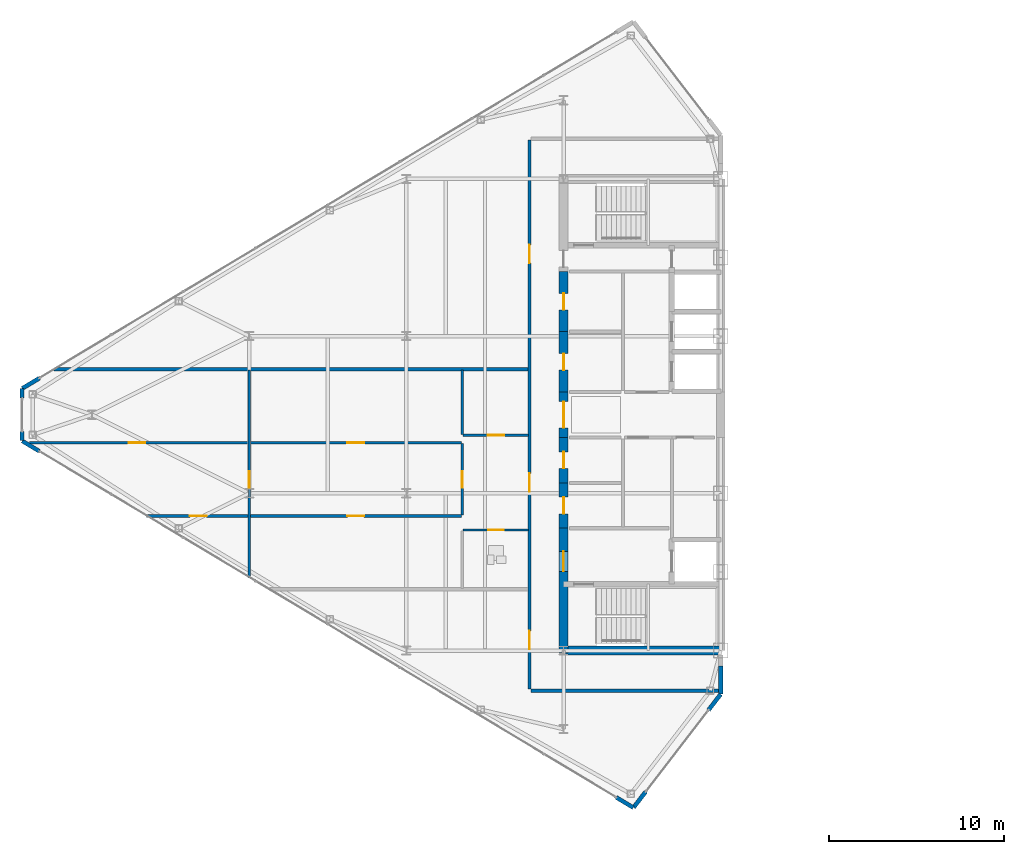
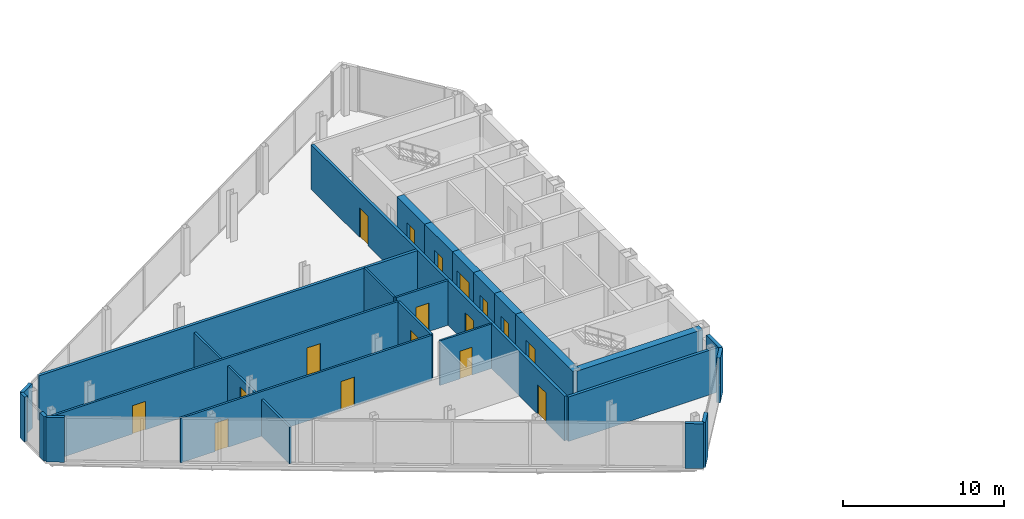
# One storey, part 19 of 25: 25 walls, 17 doors, 17 openings.
"""IFC4 building model written with IfcOpenShell, lengths in metres."""

from ifc_helpers import new_model, si_unit, direction, frame, frame_2d, origin, place, context, subcontext, project, spatial, rectangle, extrude, source, transform, mapped, material, layer, layer_set, type_object, type_shapes, element, fill, save


model = new_model("IFC4")

# Units and contexts
model_context = context("Model", 3, precision=1e-05, world=origin(), true_north=direction((0.0, 1.0)))
body_context = subcontext(model_context, "Body", "Model", "MODEL_VIEW")
ifc_project = project(units=[si_unit("LENGTHUNIT", "METRE"), si_unit("AREAUNIT", "SQUARE_METRE"), si_unit("VOLUMEUNIT", "CUBIC_METRE"), si_unit("PLANEANGLEUNIT", "RADIAN"), si_unit("MASSUNIT", "GRAM", prefix="KILO")], contexts=[model_context])

# Site, building, storey
site_placement = place(None, origin())
site = spatial("IfcSite", under=ifc_project, at=site_placement, CompositionType="ELEMENT")
building_placement = place(site_placement, origin())
building = spatial("IfcBuilding", under=site, at=building_placement, Name="Seokmaru Belvedere", CompositionType="ELEMENT")
storey_placement = place(building_placement, frame((0.0, 0.0, 210.300048828125)))
storey = spatial("IfcBuildingStorey", under=building, at=storey_placement, Name="L56", CompositionType="ELEMENT", Elevation=210.300048828125)

# Wall, openings, doors
ifc_material_1 = material(Name="Fire-Rated Gypsum Shaftwall")
ifc_layer_1 = layer(ifc_material_1, 0.14990234375)
ifc_layer_set_1 = layer_set([ifc_layer_1], Name="Fire-Rated Gypsum Shaftwall")
wall_type_1 = type_object("IfcWallType", Name="Apartment Fire-Acoustic Room Partition 150", PredefinedType="PARTITIONING", material=ifc_layer_set_1)
wall_1_placement = place(storey_placement, frame((-60.367919921875, -5.800048828125, 0.0), z_axis=(0.0, 0.0, 1.0), x_axis=(1.0, 0.0, 0.0)))
wall_1 = element("IfcWall", 1, at=wall_1_placement, inside=storey, type_object=wall_type_1, Name="L56 Interior Partition 007", PredefinedType="PARTITIONING", context=body_context, shape_type="SweptSolid", body=[
    extrude(rectangle(XDim=18.017822265625, YDim=0.14990234375, at=frame_2d((9.0087890625, 0.0))), origin(), (0.0, 0.0, 1.0), 3.3798828125),
])
opening_1_placement = place(wall_1_placement, frame((11.492919921875, 0.0, 0.0)))
opening_1 = element("IfcOpeningElement", 2, at=opening_1_placement, cuts=wall_1, Name="Opening D05", PredefinedType="OPENING", context=body_context, shape_type="SweptSolid", body=[
    extrude(rectangle(XDim=0.949951171875, YDim=2.14990234375, at=frame_2d((0.47509765625, 1.074951171875))), frame((0.0, 0.0849609375, 0.0), z_axis=(0.0, -1.0, 0.0), x_axis=(1.0, 0.0, 0.0)), (0.0, 0.0, 1.0), 0.169921875),
])
opening_2_placement = place(wall_1_placement, frame((2.476318359375, 0.0, 0.0)))
opening_2 = element("IfcOpeningElement", 3, at=opening_2_placement, cuts=wall_1, Name="Opening D05", PredefinedType="OPENING", context=body_context, shape_type="SweptSolid", body=[
    extrude(rectangle(XDim=0.949951171875, YDim=2.14990234375, at=frame_2d((0.47509765625, 1.074951171875))), frame((0.0, 0.0849609375, 0.0), z_axis=(0.0, -1.0, 0.0), x_axis=(1.0, 0.0, 0.0)), (0.0, 0.0, 1.0), 0.169921875),
])
ifc_material_2 = material(Name="Engineered White Oak Timber", Category="wood")
door_type_1 = type_object("IfcDoorType", Name="Apartment Interior Fire-Rated Oak Door 950x2150", OperationType="NOTDEFINED", PredefinedType="DOOR", material=ifc_material_2)
shared_shape_1 = source(origin(), body_context, "Body", "SweptSolid", [
    extrude(rectangle(XDim=0.949951171875, YDim=2.14990234375, at=frame_2d((0.47509765625, 1.074951171875))), frame((0.0, 0.02490234375, 0.0), z_axis=(0.0, -1.0, 0.0), x_axis=(1.0, 0.0, 0.0)), (0.0, 0.0, 1.0), 0.050048828125),
])
type_shapes(door_type_1, [shared_shape_1])
door_1_placement = place(opening_1_placement, origin())
door_1 = element("IfcDoor", 4, at=door_1_placement, inside=storey, type_object=door_type_1, Name="L56 Interior Door 007", OperationType="SINGLE_SWING_LEFT", OverallHeight=2.14990234375, OverallWidth=0.949951171875, PredefinedType="DOOR", context=body_context, shape_type="MappedRepresentation", body=[
    mapped(shared_shape_1, transform((0.0, 0.0, 0.0), scale=1.0)),
])
fill(opening_1, door_1)
door_2_placement = place(opening_2_placement, origin())
door_2 = element("IfcDoor", 5, at=door_2_placement, inside=storey, type_object=door_type_1, Name="L56 Interior Door 009", OperationType="SINGLE_SWING_RIGHT", OverallHeight=2.14990234375, OverallWidth=0.949951171875, PredefinedType="DOOR", context=body_context, shape_type="MappedRepresentation", body=[
    mapped(shared_shape_1, transform((0.0, 0.0, 0.0), scale=1.0)),
])
fill(opening_2, door_2)

wall_2_placement = place(storey_placement, frame((-67.09033203125, -1.60009765625, 0.0), z_axis=(0.0, 0.0, 1.0), x_axis=(1.0, 0.0, 0.0)))
wall_2 = element("IfcWall", 6, at=wall_2_placement, inside=storey, type_object=wall_type_1, Name="L56 Interior Partition 009", PredefinedType="PARTITIONING", context=body_context, shape_type="SweptSolid", body=[
    extrude(rectangle(XDim=24.740234375, YDim=0.14990234375, at=frame_2d((12.3701171875, 0.0))), origin(), (0.0, 0.0, 1.0), 3.3798828125),
])
opening_3_placement = place(wall_2_placement, frame((18.21533203125, 0.0, 0.0)))
opening_3 = element("IfcOpeningElement", 7, at=opening_3_placement, cuts=wall_2, Name="Opening D05", PredefinedType="OPENING", context=body_context, shape_type="SweptSolid", body=[
    extrude(rectangle(XDim=0.949951171875, YDim=2.14990234375, at=frame_2d((0.47509765625, 1.074951171875))), frame((0.0, 0.0849609375, 0.0), z_axis=(0.0, -1.0, 0.0), x_axis=(1.0, 0.0, 0.0)), (0.0, 0.0, 1.0), 0.169921875),
])
opening_4_placement = place(wall_2_placement, frame((5.698486328125, 0.0, 0.0)))
opening_4 = element("IfcOpeningElement", 8, at=opening_4_placement, cuts=wall_2, Name="Opening D05", PredefinedType="OPENING", context=body_context, shape_type="SweptSolid", body=[
    extrude(rectangle(XDim=0.949951171875, YDim=2.14990234375, at=frame_2d((0.47509765625, 1.074951171875))), frame((0.0, 0.0849609375, 0.0), z_axis=(0.0, -1.0, 0.0), x_axis=(1.0, 0.0, 0.0)), (0.0, 0.0, 1.0), 0.169921875),
])
door_3_placement = place(opening_3_placement, origin())
door_3 = element("IfcDoor", 9, at=door_3_placement, inside=storey, type_object=door_type_1, Name="L56 Interior Door 008", OperationType="SINGLE_SWING_RIGHT", OverallHeight=2.14990234375, OverallWidth=0.949951171875, PredefinedType="DOOR", context=body_context, shape_type="MappedRepresentation", body=[
    mapped(shared_shape_1, transform((0.0, 0.0, 0.0), scale=1.0)),
])
fill(opening_3, door_3)
door_4_placement = place(opening_4_placement, origin())
door_4 = element("IfcDoor", 10, at=door_4_placement, inside=storey, type_object=door_type_1, Name="L56 Interior Door 010", OperationType="SINGLE_SWING_RIGHT", OverallHeight=2.14990234375, OverallWidth=0.949951171875, PredefinedType="DOOR", context=body_context, shape_type="MappedRepresentation", body=[
    mapped(shared_shape_1, transform((0.0, 0.0, 0.0), scale=1.0)),
])
fill(opening_4, door_4)

# Wall, opening, door
wall_3_placement = place(storey_placement, frame((-42.25, -1.179931640625, 0.0), z_axis=(0.0, 0.0, 1.0), x_axis=(1.0, 0.0, 0.0)))
wall_3 = element("IfcWall", 11, at=wall_3_placement, inside=storey, type_object=wall_type_1, Name="L56 Interior Partition 010", PredefinedType="PARTITIONING", context=body_context, shape_type="SweptSolid", body=[
    extrude(rectangle(XDim=3.75, YDim=0.14990234375, at=frame_2d((1.875, 0.0))), origin(), (0.0, 0.0, 1.0), 3.3798828125),
])
opening_5_placement = place(wall_3_placement, frame((1.39990234375, 0.0, 0.0)))
opening_5 = element("IfcOpeningElement", 12, at=opening_5_placement, cuts=wall_3, Name="Opening D05", PredefinedType="OPENING", context=body_context, shape_type="SweptSolid", body=[
    extrude(rectangle(XDim=0.949951171875, YDim=2.14990234375, at=frame_2d((0.47509765625, 1.074951171875))), frame((0.0, 0.0849609375, 0.0), z_axis=(0.0, -1.0, 0.0), x_axis=(1.0, 0.0, 0.0)), (0.0, 0.0, 1.0), 0.169921875),
])
door_5_placement = place(opening_5_placement, origin())
door_5 = element("IfcDoor", 13, at=door_5_placement, inside=storey, type_object=door_type_1, Name="L56 Interior Door 004", OperationType="SINGLE_SWING_LEFT", OverallHeight=2.14990234375, OverallWidth=0.949951171875, PredefinedType="DOOR", context=body_context, shape_type="MappedRepresentation", body=[
    mapped(shared_shape_1, transform((0.0, 0.0, 0.0), scale=1.0)),
])
fill(opening_5, door_5)

wall_4_placement = place(storey_placement, frame((-54.5, -9.3349609375, 0.0), z_axis=(0.0, 0.0, 1.0), x_axis=(0.0, 1.0, 0.0)))
wall_4 = element("IfcWall", 14, at=wall_4_placement, inside=storey, type_object=wall_type_1, Name="L56 Interior Partition 017", PredefinedType="PARTITIONING", context=body_context, shape_type="SweptSolid", body=[
    extrude(rectangle(XDim=11.885009765625, YDim=0.14990234375, at=frame_2d((5.9423828125, 0.0))), origin(), (0.0, 0.0, 1.0), 2.780029296875),
])
opening_6_placement = place(wall_4_placement, frame((5.159912109375, 0.0, 0.0)))
opening_6 = element("IfcOpeningElement", 15, at=opening_6_placement, cuts=wall_4, Name="Opening D05", PredefinedType="OPENING", context=body_context, shape_type="SweptSolid", body=[
    extrude(rectangle(XDim=0.949951171875, YDim=2.14990234375, at=frame_2d((0.47509765625, 1.074951171875))), frame((0.0, 0.0849609375, 0.0), z_axis=(0.0, -1.0, 0.0), x_axis=(1.0, 0.0, 0.0)), (0.0, 0.0, 1.0), 0.169921875),
])
door_6_placement = place(opening_6_placement, origin())
door_6 = element("IfcDoor", 16, at=door_6_placement, inside=storey, type_object=door_type_1, Name="L56 Interior Door 006", OperationType="SINGLE_SWING_LEFT", OverallHeight=2.14990234375, OverallWidth=0.949951171875, PredefinedType="DOOR", context=body_context, shape_type="MappedRepresentation", body=[
    mapped(shared_shape_1, transform((0.0, 0.0, 0.0), scale=1.0)),
])
fill(opening_6, door_6)

wall_5_placement = place(storey_placement, frame((-42.300048828125, -5.75, 0.0), z_axis=(0.0, 0.0, 1.0), x_axis=(0.0, 1.0, 0.0)))
wall_5 = element("IfcWall", 17, at=wall_5_placement, inside=storey, type_object=wall_type_1, Name="L56 Interior Partition 019", PredefinedType="PARTITIONING", context=body_context, shape_type="SweptSolid", body=[
    extrude(rectangle(XDim=4.10009765625, YDim=0.14990234375, at=frame_2d((2.050048828125, 0.0))), origin(), (0.0, 0.0, 1.0), 3.3798828125),
])
opening_7_placement = place(wall_5_placement, frame((1.574951171875, 0.0, 0.0)))
opening_7 = element("IfcOpeningElement", 18, at=opening_7_placement, cuts=wall_5, Name="Opening D05", PredefinedType="OPENING", context=body_context, shape_type="SweptSolid", body=[
    extrude(rectangle(XDim=0.949951171875, YDim=2.14990234375, at=frame_2d((0.47509765625, 1.074951171875))), frame((0.0, 0.0849609375, 0.0), z_axis=(0.0, -1.0, 0.0), x_axis=(1.0, 0.0, 0.0)), (0.0, 0.0, 1.0), 0.169921875),
])
door_7_placement = place(opening_7_placement, origin())
door_7 = element("IfcDoor", 19, at=door_7_placement, inside=storey, type_object=door_type_1, Name="L56 Interior Door 005", OperationType="SINGLE_SWING_RIGHT", OverallHeight=2.14990234375, OverallWidth=0.949951171875, PredefinedType="DOOR", context=body_context, shape_type="MappedRepresentation", body=[
    mapped(shared_shape_1, transform((0.0, 0.0, 0.0), scale=1.0)),
])
fill(opening_7, door_7)

# Walls
wall_6_placement = place(storey_placement, frame((-42.300048828125, -1.1279296875, 0.0), z_axis=(0.0, 0.0, 1.0), x_axis=(0.0, 1.0, 0.0)))
element("IfcWall", 20, at=wall_6_placement, inside=storey, type_object=wall_type_1, Name="L56 Interior Partition 020", PredefinedType="PARTITIONING", context=body_context, shape_type="SweptSolid", body=[
    extrude(rectangle(XDim=3.677978515625, YDim=0.14990234375, at=frame_2d((1.8388671875, 0.0))), origin(), (0.0, 0.0, 1.0), 3.3798828125),
])
ifc_layer_2 = layer(ifc_material_1, 0.199951171875)
ifc_layer_set_2 = layer_set([ifc_layer_2], Name="Fire-Rated Gypsum Shaftwall")
wall_type_2 = type_object("IfcWallType", Name="Inter-Tenancy Fire Compartment Partition 200", PredefinedType="PARTITIONING", material=ifc_layer_set_2)
wall_7_placement = place(storey_placement, frame((-38.364990234375, -15.800048828125, 0.0), z_axis=(0.0, 0.0, 1.0), x_axis=(1.0, 0.0, 0.0)))
element("IfcWall", 21, at=wall_7_placement, inside=storey, type_object=wall_type_2, Name="L56 Interior Partition 001", PredefinedType="PARTITIONING", context=body_context, shape_type="SweptSolid", body=[
    extrude(rectangle(XDim=10.739990234375, YDim=0.199951171875, at=frame_2d((5.3701171875, 0.0))), origin(), (0.0, 0.0, 1.0), 3.3798828125),
])
wall_8_placement = place(storey_placement, frame((-65.676025390625, 2.60009765625, 0.0), z_axis=(0.0, 0.0, 1.0), x_axis=(1.0, 0.0, 0.0)))
element("IfcWall", 22, at=wall_8_placement, inside=storey, type_object=wall_type_2, Name="L56 Interior Partition 013", PredefinedType="PARTITIONING", context=body_context, shape_type="SweptSolid", body=[
    extrude(rectangle(XDim=27.14599609375, YDim=0.199951171875, at=frame_2d((13.572998046875, 0.0))), origin(), (0.0, 0.0, 1.0), 3.3798828125),
])

# Wall, openings, doors
wall_9_placement = place(storey_placement, frame((-38.449951171875, -15.715087890625, 0.0), z_axis=(0.0, 0.0, 1.0), x_axis=(0.0, 1.0, 0.0)))
wall_9 = element("IfcWall", 23, at=wall_9_placement, inside=storey, type_object=wall_type_2, Name="L56 Interior Partition 021", PredefinedType="PARTITIONING", context=body_context, shape_type="SweptSolid", body=[
    extrude(rectangle(XDim=31.43017578125, YDim=0.199951171875, at=frame_2d((15.715087890625, 0.0))), origin(), (0.0, 0.0, 1.0), 3.3798828125),
])
opening_8_placement = place(wall_9_placement, frame((2.2900390625, 0.0, 0.0)))
opening_8 = element("IfcOpeningElement", 24, at=opening_8_placement, cuts=wall_9, Name="Opening D03", PredefinedType="OPENING", context=body_context, shape_type="SweptSolid", body=[
    extrude(rectangle(XDim=1.050048828125, YDim=2.25, at=frame_2d((0.52490234375, 1.125))), frame((0.0, 0.10986328125, 0.0), z_axis=(0.0, -1.0, 0.0), x_axis=(1.0, 0.0, 0.0)), (0.0, 0.0, 1.0), 0.219970703125),
])
opening_9_placement = place(wall_9_placement, frame((11.301025390625, 0.0, 0.0)))
opening_9 = element("IfcOpeningElement", 25, at=opening_9_placement, cuts=wall_9, Name="Opening D03", PredefinedType="OPENING", context=body_context, shape_type="SweptSolid", body=[
    extrude(rectangle(XDim=1.050048828125, YDim=2.25, at=frame_2d((0.52490234375, 1.125))), frame((0.0, 0.10986328125, 0.0), z_axis=(0.0, -1.0, 0.0), x_axis=(1.0, 0.0, 0.0)), (0.0, 0.0, 1.0), 0.219970703125),
])
opening_10_placement = place(wall_9_placement, frame((24.389892578125, 0.0, 0.0)))
opening_10 = element("IfcOpeningElement", 26, at=opening_10_placement, cuts=wall_9, Name="Opening D03", PredefinedType="OPENING", context=body_context, shape_type="SweptSolid", body=[
    extrude(rectangle(XDim=1.050048828125, YDim=2.25, at=frame_2d((0.52490234375, 1.125))), frame((0.0, 0.10986328125, 0.0), z_axis=(0.0, -1.0, 0.0), x_axis=(1.0, 0.0, 0.0)), (0.0, 0.0, 1.0), 0.219970703125),
])
ifc_material_3 = material(Name="Fire-Rated Steel Leaf", Category="steel")
door_type_2 = type_object("IfcDoorType", Name="Apartment Entrance Fire Door 1050x2250", OperationType="NOTDEFINED", PredefinedType="DOOR", material=ifc_material_3)
shared_shape_2 = source(origin(), body_context, "Body", "SweptSolid", [
    extrude(rectangle(XDim=1.050048828125, YDim=2.25, at=frame_2d((0.52490234375, 1.125))), frame((0.0, 0.02490234375, 0.0), z_axis=(0.0, -1.0, 0.0), x_axis=(1.0, 0.0, 0.0)), (0.0, 0.0, 1.0), 0.050048828125),
])
type_shapes(door_type_2, [shared_shape_2])
door_8_placement = place(opening_8_placement, origin())
door_8 = element("IfcDoor", 27, at=door_8_placement, inside=storey, type_object=door_type_2, Name="L56 Interior Door 001", OperationType="SINGLE_SWING_RIGHT", OverallHeight=2.25, OverallWidth=1.050048828125, PredefinedType="DOOR", context=body_context, shape_type="MappedRepresentation", body=[
    mapped(shared_shape_2, transform((0.0, 0.0, 0.0), scale=1.0)),
])
fill(opening_8, door_8)
door_9_placement = place(opening_9_placement, origin())
door_9 = element("IfcDoor", 28, at=door_9_placement, inside=storey, type_object=door_type_2, Name="L56 Interior Door 002", OperationType="SINGLE_SWING_LEFT", OverallHeight=2.25, OverallWidth=1.050048828125, PredefinedType="DOOR", context=body_context, shape_type="MappedRepresentation", body=[
    mapped(shared_shape_2, transform((0.0, 0.0, 0.0), scale=1.0)),
])
fill(opening_9, door_9)
door_10_placement = place(opening_10_placement, origin())
door_10 = element("IfcDoor", 29, at=door_10_placement, inside=storey, type_object=door_type_2, Name="L56 Interior Door 011", OperationType="SINGLE_SWING_RIGHT", OverallHeight=2.25, OverallWidth=1.050048828125, PredefinedType="DOOR", context=body_context, shape_type="MappedRepresentation", body=[
    mapped(shared_shape_2, transform((0.0, 0.0, 0.0), scale=1.0)),
])
fill(opening_10, door_10)

# Wall, opening, door
ifc_layer_3 = layer(ifc_material_1, 0.1298828125)
ifc_layer_set_3 = layer_set([ifc_layer_3], Name="Fire-Rated Gypsum Shaftwall")
wall_type_3 = type_object("IfcWallType", Name="Moisture-Resistant Fire-Rated Bathroom Partition 130", PredefinedType="PARTITIONING", material=ifc_layer_set_3)
wall_10_placement = place(storey_placement, frame((-42.25, -6.60009765625, 0.0), z_axis=(0.0, 0.0, 1.0), x_axis=(1.0, 0.0, 0.0)))
wall_10 = element("IfcWall", 30, at=wall_10_placement, inside=storey, type_object=wall_type_3, Name="L56 Interior Partition 005", PredefinedType="PARTITIONING", context=body_context, shape_type="SweptSolid", body=[
    extrude(rectangle(XDim=3.75, YDim=0.1298828125, at=frame_2d((1.875, 0.0))), origin(), (0.0, 0.0, 1.0), 3.3798828125),
])
opening_11_placement = place(wall_10_placement, frame((1.43505859375, 0.0, 0.0)))
opening_11 = element("IfcOpeningElement", 31, at=opening_11_placement, cuts=wall_10, Name="Opening D06", PredefinedType="OPENING", context=body_context, shape_type="SweptSolid", body=[
    extrude(rectangle(XDim=0.8798828125, YDim=2.10009765625, at=frame_2d((0.43994140625, 1.050048828125))), frame((0.0, 0.074951171875, 0.0), z_axis=(0.0, -1.0, 0.0), x_axis=(1.0, 0.0, 0.0)), (0.0, 0.0, 1.0), 0.14990234375),
])
door_type_3 = type_object("IfcDoorType", Name="Bathroom and Restroom Fire-Rated Door 880x2100", OperationType="NOTDEFINED", PredefinedType="DOOR", material=ifc_material_2)
shared_shape_3 = source(origin(), body_context, "Body", "SweptSolid", [
    extrude(rectangle(XDim=0.8798828125, YDim=2.10009765625, at=frame_2d((0.43994140625, 1.050048828125))), frame((0.0, 0.02490234375, 0.0), z_axis=(0.0, -1.0, 0.0), x_axis=(1.0, 0.0, 0.0)), (0.0, 0.0, 1.0), 0.050048828125),
])
type_shapes(door_type_3, [shared_shape_3])
door_11_placement = place(opening_11_placement, origin())
door_11 = element("IfcDoor", 32, at=door_11_placement, inside=storey, type_object=door_type_3, Name="L56 Interior Door 003", OperationType="SINGLE_SWING_LEFT", OverallHeight=2.10009765625, OverallWidth=0.8798828125, PredefinedType="DOOR", context=body_context, shape_type="MappedRepresentation", body=[
    mapped(shared_shape_3, transform((0.0, 0.0, 0.0), scale=1.0)),
])
fill(opening_11, door_11)

# Walls
ifc_material_4 = material(Name="Anodised Bronze Aluminium", Category="aluminium")
ifc_layer_4 = layer(ifc_material_4, 0.239990234375)
ifc_layer_set_4 = layer_set([ifc_layer_4], Name="Anodised Bronze Aluminium")
wall_type_4 = type_object("IfcWallType", Name="Tower Corner Spandrel Closure Wall 240", PredefinedType="SOLIDWALL", material=ifc_layer_set_4)
wall_11_placement = place(storey_placement, frame((-27.5, -15.97998046875, 0.0), z_axis=(0.0, 0.0, 1.0), x_axis=(0.0, 1.0, 0.0)))
element("IfcWall", 33, at=wall_11_placement, inside=storey, type_object=wall_type_4, Name="L56 W Shoulder Closure Wall 1", PredefinedType="SOLIDWALL", context=body_context, shape_type="SweptSolid", body=[
    extrude(rectangle(XDim=1.605224609375, YDim=0.239990234375, at=frame_2d((0.802734375, 0.0))), origin(), (0.0, 0.0, 1.0), 3.3798828125),
])
wall_12_placement = place(storey_placement, frame((-66.513916015625, 2.091796875, 0.0), z_axis=(0.0, 0.0, 1.0), x_axis=(-0.85743623509, -0.514590228002, 0.0)))
element("IfcWall", 34, at=wall_12_placement, inside=storey, type_object=wall_type_4, Name="L56 W Corner Closure Pier 3B", PredefinedType="SOLIDWALL", context=body_context, shape_type="SweptSolid", body=[
    extrude(rectangle(XDim=1.14013671875, YDim=0.239990234375, at=frame_2d((0.570068359375, 0.0))), origin(), (0.0, 0.0, 1.0), 3.3798828125),
])
for number, where, z_axis, x_axis, name in (
    (35, (-67.5, 1.489990234375, 0.0), (0.0, 0.0, 1.0), (0.0, -1.0, 0.0), "L56 W Apex Closure Pier 4A"),
    (36, (-67.5, -0.949951171875, 0.0), (0.0, 0.0, 1.0), (0.0, -1.0, 0.0), "L56 W Apex Closure Pier 4B"),
):
    element("IfcWall", number, at=place(storey_placement, frame(where, z_axis=z_axis, x_axis=x_axis)), inside=storey, type_object=wall_type_4, Name=name, PredefinedType="SOLIDWALL", context=body_context, shape_type="SweptSolid", body=[
        extrude(rectangle(XDim=0.5400390625, YDim=0.239990234375, at=frame_2d((0.27001953125, 0.0))), origin(), (0.0, 0.0, 1.0), 3.3798828125),
    ])
for number, where, z_axis, x_axis, name in (
    (37, (-67.491455078125, -1.505126953125, 0.0), (0.0, 0.0, 1.0), (0.85743623509, -0.514590228002, 0.0), "L56 W Corner Closure Pier 5A"),
    (38, (-33.486083984375, -21.908203125, 0.0), (0.0, 0.0, 1.0), (0.85743623509, -0.514590228002, 0.0), "L56 W Corner Closure Pier 5B"),
    (39, (-32.493896484375, -22.4921875, 0.0), (0.0, 0.0, 1.0), (0.609617623633, 0.792695624408, 0.0), "L56 W Corner Closure Pier 6A"),
    (40, (-28.201171875, -16.91162109375, 0.0), (0.0, 0.0, 1.0), (0.609617623633, 0.792695624408, 0.0), "L56 W Corner Closure Pier 6B"),
):
    element("IfcWall", number, at=place(storey_placement, frame(where, z_axis=z_axis, x_axis=x_axis)), inside=storey, type_object=wall_type_4, Name=name, PredefinedType="SOLIDWALL", context=body_context, shape_type="SweptSolid", body=[
        extrude(rectangle(XDim=1.14013671875, YDim=0.239990234375, at=frame_2d((0.570068359375, 0.0))), origin(), (0.0, 0.0, 1.0), 3.3798828125),
    ])
ifc_material_5 = material(Name="Concrete C50 (50 MPa)", Category="concrete")
ifc_layer_5 = layer(ifc_material_5, 0.5)
ifc_layer_set_5 = layer_set([ifc_layer_5], Name="Concrete C50 (50 MPa)")
wall_type_5 = type_object("IfcWallType", Name="Upper Tower Reinforced Concrete Core Wall 500", PredefinedType="SHEAR", material=ifc_layer_set_5)
wall_13_placement = place(storey_placement, frame((-36.5, -13.5, 0.0), z_axis=(0.0, 0.0, 1.0), x_axis=(1.0, 0.0, 0.0)))
element("IfcWall", 41, at=wall_13_placement, inside=storey, type_object=wall_type_5, Name="L56 West South Core Wall", PredefinedType="SHEAR", context=body_context, shape_type="SweptSolid", body=[
    extrude(rectangle(XDim=9.0, YDim=0.5, at=frame_2d((4.5, 0.0))), origin(), (0.0, 0.0, 1.0), 3.3798828125),
])

# Wall, opening, door
wall_14_placement = place(storey_placement, frame((-36.5, -13.64990234375, 0.0), z_axis=(0.0, 0.0, 1.0), x_axis=(0.0, 1.0, 0.0)))
wall_14 = element("IfcWall", 42, at=wall_14_placement, inside=storey, type_object=wall_type_5, Name="L56 West West Core Wall FF", PredefinedType="SHEAR", context=body_context, shape_type="SweptSolid", body=[
    extrude(rectangle(XDim=7.14990234375, YDim=0.5, at=frame_2d((3.574951171875, 0.0))), origin(), (0.0, 0.0, 1.0), 3.3798828125),
])
opening_12_placement = place(wall_14_placement, frame((4.675048828125, 0.0, 0.0)))
opening_12 = element("IfcOpeningElement", 43, at=opening_12_placement, cuts=wall_14, Name="Opening D02", PredefinedType="OPENING", context=body_context, shape_type="SweptSolid", body=[
    extrude(rectangle(XDim=1.14990234375, YDim=2.199951171875, at=frame_2d((0.574951171875, 1.10009765625))), frame((0.0, 0.260009765625, 0.0), z_axis=(0.0, -1.0, 0.0), x_axis=(1.0, 0.0, 0.0)), (0.0, 0.0, 1.0), 0.52001953125),
])
door_type_4 = type_object("IfcDoorType", Name="Lobby and Vestibule Fire Door 1150x2200", OperationType="NOTDEFINED", PredefinedType="DOOR", material=ifc_material_3)
shared_shape_4 = source(origin(), body_context, "Body", "SweptSolid", [
    extrude(rectangle(XDim=1.14990234375, YDim=2.199951171875, at=frame_2d((0.574951171875, 1.10009765625))), frame((0.0, 0.02490234375, 0.0), z_axis=(0.0, -1.0, 0.0), x_axis=(1.0, 0.0, 0.0)), (0.0, 0.0, 1.0), 0.050048828125),
])
type_shapes(door_type_4, [shared_shape_4])
door_12_placement = place(opening_12_placement, frame((1.14990234375, 0.0, 0.0), z_axis=(0.0, 0.0, 1.0), x_axis=(-1.0, 0.0, 0.0)))
door_12 = element("IfcDoor", 44, at=door_12_placement, inside=storey, type_object=door_type_4, Name="L56 West Firefighting Lobby Door", OperationType="SINGLE_SWING_LEFT", OverallHeight=2.199951171875, OverallWidth=1.14990234375, PredefinedType="DOOR", context=body_context, shape_type="MappedRepresentation", body=[
    mapped(shared_shape_4, transform((0.0, 0.0, 0.0), scale=1.0)),
])
fill(opening_12, door_12)

wall_15_placement = place(storey_placement, frame((-36.5, -1.300048828125, 0.0), z_axis=(0.0, 0.0, 1.0), x_axis=(0.0, 1.0, 0.0)))
wall_15 = element("IfcWall", 45, at=wall_15_placement, inside=storey, type_object=wall_type_5, Name="L56 West West Core Wall FOY", PredefinedType="SHEAR", context=body_context, shape_type="SweptSolid", body=[
    extrude(rectangle(XDim=2.60009765625, YDim=0.5, at=frame_2d((1.300048828125, 0.0))), origin(), (0.0, 0.0, 1.0), 3.3798828125),
])
opening_13_placement = place(wall_15_placement, frame((0.550048828125, 0.0, 0.0)))
opening_13 = element("IfcOpeningElement", 46, at=opening_13_placement, cuts=wall_15, Name="Opening D08", PredefinedType="OPENING", context=body_context, shape_type="SweptSolid", body=[
    extrude(rectangle(XDim=1.5, YDim=2.300048828125, at=frame_2d((0.75, 1.14990234375))), frame((0.0, 0.260009765625, 0.0), z_axis=(0.0, -1.0, 0.0), x_axis=(1.0, 0.0, 0.0)), (0.0, 0.0, 1.0), 0.52001953125),
])
door_type_5 = type_object("IfcDoorType", Name="Cross-Corridor Compartment Double Fire Door 1500x2300", OperationType="DOUBLE_SWING_LEFT", PredefinedType="DOOR", material=ifc_material_3)
shared_shape_5 = source(origin(), body_context, "Body", "SweptSolid", [
    extrude(rectangle(XDim=1.5, YDim=2.300048828125, at=frame_2d((0.75, 1.14990234375))), frame((0.0, 0.02490234375, 0.0), z_axis=(0.0, -1.0, 0.0), x_axis=(1.0, 0.0, 0.0)), (0.0, 0.0, 1.0), 0.050048828125),
])
type_shapes(door_type_5, [shared_shape_5])
door_13_placement = place(opening_13_placement, origin())
door_13 = element("IfcDoor", 47, at=door_13_placement, inside=storey, type_object=door_type_5, Name="L56 West Core Foyer Compartment Door", OperationType="DOUBLE_SWING_LEFT", OverallHeight=2.300048828125, OverallWidth=1.5, PredefinedType="DOOR", context=body_context, shape_type="MappedRepresentation", body=[
    mapped(shared_shape_5, transform((0.0, 0.0, 0.0), scale=1.0)),
])
fill(opening_13, door_13)

wall_16_placement = place(storey_placement, frame((-36.5, -6.5, 0.0), z_axis=(0.0, 0.0, 1.0), x_axis=(0.0, 1.0, 0.0)))
wall_16 = element("IfcWall", 48, at=wall_16_placement, inside=storey, type_object=wall_type_5, Name="L56 West West Core Wall CS1", PredefinedType="SHEAR", context=body_context, shape_type="SweptSolid", body=[
    extrude(rectangle(XDim=2.60009765625, YDim=0.5, at=frame_2d((1.300048828125, 0.0))), origin(), (0.0, 0.0, 1.0), 3.3798828125),
])
opening_14_placement = place(wall_16_placement, frame((0.824951171875, 0.0, 0.0)))
opening_14 = element("IfcOpeningElement", 49, at=opening_14_placement, cuts=wall_16, Name="Opening D04", PredefinedType="OPENING", context=body_context, shape_type="SweptSolid", body=[
    extrude(rectangle(XDim=0.949951171875, YDim=2.14990234375, at=frame_2d((0.47509765625, 1.074951171875))), frame((0.0, 0.260009765625, 0.0), z_axis=(0.0, -1.0, 0.0), x_axis=(1.0, 0.0, 0.0)), (0.0, 0.0, 1.0), 0.52001953125),
])
door_type_6 = type_object("IfcDoorType", Name="Core Service Room Fire Door 950x2150", OperationType="NOTDEFINED", PredefinedType="DOOR", material=ifc_material_3)
shared_shape_6 = source(origin(), body_context, "Body", "SweptSolid", [
    extrude(rectangle(XDim=0.949951171875, YDim=2.14990234375, at=frame_2d((0.47509765625, 1.074951171875))), frame((0.0, 0.02490234375, 0.0), z_axis=(0.0, -1.0, 0.0), x_axis=(1.0, 0.0, 0.0)), (0.0, 0.0, 1.0), 0.050048828125),
])
type_shapes(door_type_6, [shared_shape_6])
door_14_placement = place(opening_14_placement, origin())
door_14 = element("IfcDoor", 50, at=door_14_placement, inside=storey, type_object=door_type_6, Name="L56 West Core Service Room Door 1", OperationType="SINGLE_SWING_LEFT", OverallHeight=2.14990234375, OverallWidth=0.949951171875, PredefinedType="DOOR", context=body_context, shape_type="MappedRepresentation", body=[
    mapped(shared_shape_6, transform((0.0, 0.0, 0.0), scale=1.0)),
])
fill(opening_14, door_14)

wall_17_placement = place(storey_placement, frame((-36.5, -3.89990234375, 0.0), z_axis=(0.0, 0.0, 1.0), x_axis=(0.0, 1.0, 0.0)))
wall_17 = element("IfcWall", 51, at=wall_17_placement, inside=storey, type_object=wall_type_5, Name="L56 West West Core Wall CS2", PredefinedType="SHEAR", context=body_context, shape_type="SweptSolid", body=[
    extrude(rectangle(XDim=2.599853515625, YDim=0.5, at=frame_2d((1.2998046875, 0.0))), origin(), (0.0, 0.0, 1.0), 3.3798828125),
])
opening_15_placement = place(wall_17_placement, frame((0.824951171875, 0.0, 0.0)))
opening_15 = element("IfcOpeningElement", 52, at=opening_15_placement, cuts=wall_17, Name="Opening D04", PredefinedType="OPENING", context=body_context, shape_type="SweptSolid", body=[
    extrude(rectangle(XDim=0.949951171875, YDim=2.14990234375, at=frame_2d((0.47509765625, 1.074951171875))), frame((0.0, 0.260009765625, 0.0), z_axis=(0.0, -1.0, 0.0), x_axis=(1.0, 0.0, 0.0)), (0.0, 0.0, 1.0), 0.52001953125),
])
door_15_placement = place(opening_15_placement, origin())
door_15 = element("IfcDoor", 53, at=door_15_placement, inside=storey, type_object=door_type_6, Name="L56 West Core Service Room Door 2", OperationType="SINGLE_SWING_RIGHT", OverallHeight=2.14990234375, OverallWidth=0.949951171875, PredefinedType="DOOR", context=body_context, shape_type="MappedRepresentation", body=[
    mapped(shared_shape_6, transform((0.0, 0.0, 0.0), scale=1.0)),
])
fill(opening_15, door_15)

wall_18_placement = place(storey_placement, frame((-36.5, 1.300048828125, 0.0), z_axis=(0.0, 0.0, 1.0), x_axis=(0.0, 1.0, 0.0)))
wall_18 = element("IfcWall", 54, at=wall_18_placement, inside=storey, type_object=wall_type_5, Name="L56 West West Core Wall CS3", PredefinedType="SHEAR", context=body_context, shape_type="SweptSolid", body=[
    extrude(rectangle(XDim=3.449951171875, YDim=0.5, at=frame_2d((1.72509765625, 0.0))), origin(), (0.0, 0.0, 1.0), 3.3798828125),
])
opening_16_placement = place(wall_18_placement, frame((1.25, 0.0, 0.0)))
opening_16 = element("IfcOpeningElement", 55, at=opening_16_placement, cuts=wall_18, Name="Opening D04", PredefinedType="OPENING", context=body_context, shape_type="SweptSolid", body=[
    extrude(rectangle(XDim=0.949951171875, YDim=2.14990234375, at=frame_2d((0.47509765625, 1.074951171875))), frame((0.0, 0.260009765625, 0.0), z_axis=(0.0, -1.0, 0.0), x_axis=(1.0, 0.0, 0.0)), (0.0, 0.0, 1.0), 0.52001953125),
])
door_16_placement = place(opening_16_placement, origin())
door_16 = element("IfcDoor", 56, at=door_16_placement, inside=storey, type_object=door_type_6, Name="L56 West Core Service Room Door 3", OperationType="SINGLE_SWING_LEFT", OverallHeight=2.14990234375, OverallWidth=0.949951171875, PredefinedType="DOOR", context=body_context, shape_type="MappedRepresentation", body=[
    mapped(shared_shape_6, transform((0.0, 0.0, 0.0), scale=1.0)),
])
fill(opening_16, door_16)

wall_19_placement = place(storey_placement, frame((-36.5, 4.75, 0.0), z_axis=(0.0, 0.0, 1.0), x_axis=(0.0, 1.0, 0.0)))
wall_19 = element("IfcWall", 57, at=wall_19_placement, inside=storey, type_object=wall_type_5, Name="L56 West West Core Wall CS4", PredefinedType="SHEAR", context=body_context, shape_type="SweptSolid", body=[
    extrude(rectangle(XDim=3.449951171875, YDim=0.5, at=frame_2d((1.72509765625, 0.0))), origin(), (0.0, 0.0, 1.0), 3.3798828125),
])
opening_17_placement = place(wall_19_placement, frame((1.25, 0.0, 0.0)))
opening_17 = element("IfcOpeningElement", 58, at=opening_17_placement, cuts=wall_19, Name="Opening D04", PredefinedType="OPENING", context=body_context, shape_type="SweptSolid", body=[
    extrude(rectangle(XDim=0.949951171875, YDim=2.14990234375, at=frame_2d((0.47509765625, 1.074951171875))), frame((0.0, 0.260009765625, 0.0), z_axis=(0.0, -1.0, 0.0), x_axis=(1.0, 0.0, 0.0)), (0.0, 0.0, 1.0), 0.52001953125),
])
door_17_placement = place(opening_17_placement, origin())
door_17 = element("IfcDoor", 59, at=door_17_placement, inside=storey, type_object=door_type_6, Name="L56 West Core Service Room Door 4", OperationType="SINGLE_SWING_RIGHT", OverallHeight=2.14990234375, OverallWidth=0.949951171875, PredefinedType="DOOR", context=body_context, shape_type="MappedRepresentation", body=[
    mapped(shared_shape_6, transform((0.0, 0.0, 0.0), scale=1.0)),
])
fill(opening_17, door_17)

save(model, "model.ifc")
